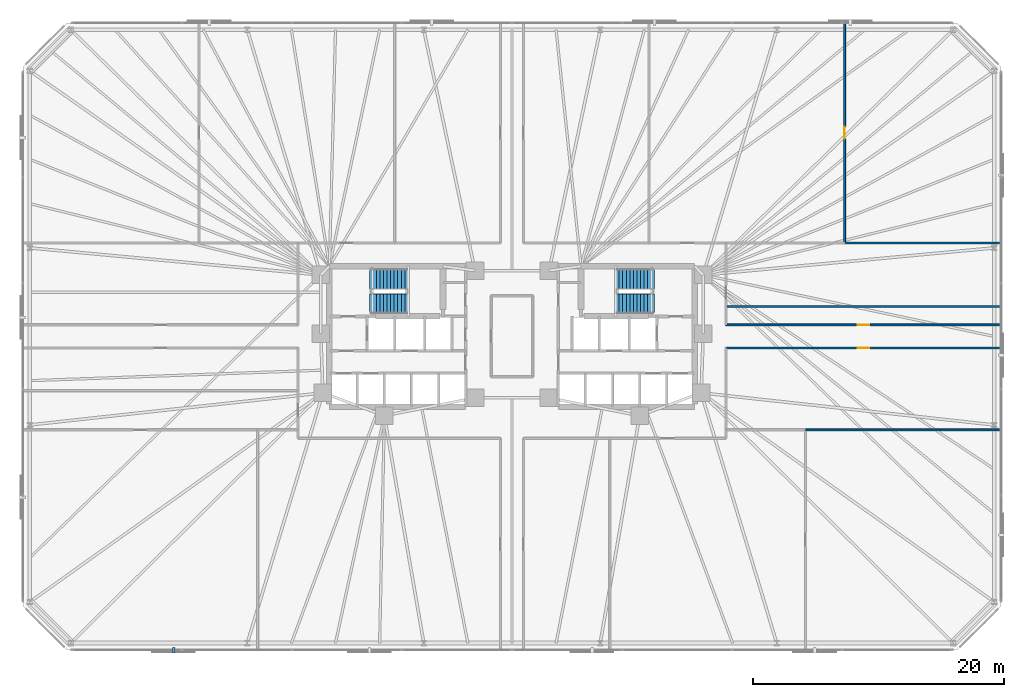
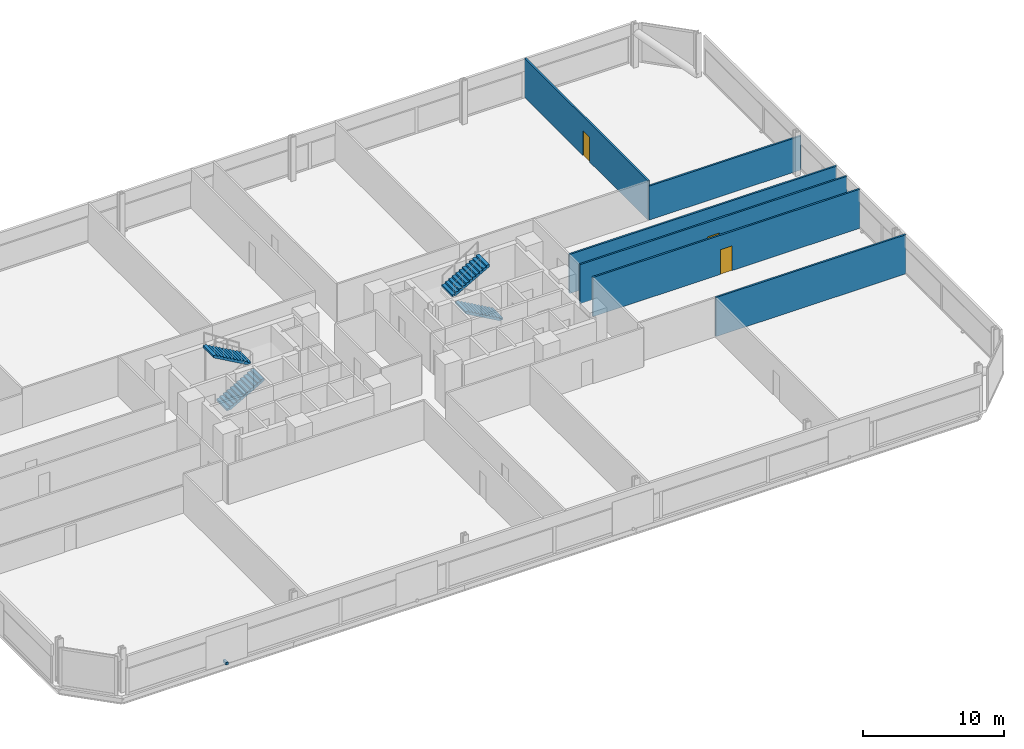
# One storey, part 15 of 17: 6 walls, 4 stair flights, 3 doors, 1 discrete accessory, 3 openings, 2 elements without a shape of their own.
"""IFC4 building model written with IfcOpenShell, lengths in metres."""

from ifc_helpers import new_model, si_unit, direction, frame, frame_2d, origin, origin_2d, place, context, subcontext, project, spatial, polyline, rectangle, outline, extrude, material, layer, layer_set, type_object, element, fill, aggregate, save


model = new_model("IFC4")

# Units and contexts
model_context = context("Model", 3, precision=1e-05, world=origin(), true_north=direction((0.0, 1.0)))
body_context = subcontext(model_context, "Body", "Model", "MODEL_VIEW")
ifc_project = project(units=[si_unit("LENGTHUNIT", "METRE"), si_unit("AREAUNIT", "SQUARE_METRE"), si_unit("VOLUMEUNIT", "CUBIC_METRE"), si_unit("PLANEANGLEUNIT", "RADIAN"), si_unit("MASSUNIT", "GRAM", prefix="KILO")], contexts=[model_context])

# Site, building, storey
site_placement = place(None, origin())
site = spatial("IfcSite", under=ifc_project, at=site_placement, CompositionType="ELEMENT")
building_placement = place(site_placement, origin())
building = spatial("IfcBuilding", under=site, at=building_placement, Name="Menara Jurai Vektor", CompositionType="ELEMENT")
storey_placement = place(building_placement, frame((0.0, 0.0, 75.0)))
storey = spatial("IfcBuildingStorey", under=building, at=storey_placement, Name="L18", CompositionType="ELEMENT", Elevation=75.0)

# Wall, opening, door
ifc_material_1 = material(Name="Gypsum Fireboard Partition", Category="gypsum")
ifc_layer_1 = layer(ifc_material_1, 0.14990234375)
ifc_layer_set_1 = layer_set([ifc_layer_1], Name="Gypsum Fireboard Partition")
wall_type_1 = type_object("IfcWallType", Name="INT-WALL-CORR-150", PredefinedType="PARTITIONING", material=ifc_layer_set_1)
wall_1_placement = place(storey_placement, frame((17.05908203125, -0.919921875, 0.0), z_axis=(0.0, 0.0, 1.0), x_axis=(1.0, 0.0, 0.0)))
wall_1 = element("IfcWall", 1, at=wall_1_placement, inside=storey, type_object=wall_type_1, Name="Interior Wall IW-150 L18", PredefinedType="PARTITIONING", context=body_context, shape_type="SweptSolid", body=[
    extrude(rectangle(XDim=21.94091796875, YDim=0.14990234375, at=frame_2d((10.970458984375, 0.0))), origin(), (0.0, 0.0, 1.0), 3.39990234375),
])
opening_1_placement = place(wall_1_placement, frame((10.49560546875, 0.0, 0.0)))
opening_1 = element("IfcOpeningElement", 2, at=opening_1_placement, cuts=wall_1, Name="Opening D18-15", PredefinedType="OPENING", context=body_context, shape_type="SweptSolid", body=[
    extrude(rectangle(XDim=0.949951171875, YDim=2.14990234375, at=frame_2d((0.47509765625, 1.074951171875))), frame((0.0, 0.0849609375, 0.0), z_axis=(0.0, -1.0, 0.0), x_axis=(1.0, 0.0, 0.0)), (0.0, 0.0, 1.0), 0.169921875),
])
ifc_material_2 = material(Name="Solid Core Timber Fire Door", Category="wood")
door_type = type_object("IfcDoorType", Name="DR-ENTRY-950", OperationType="NOTDEFINED", PredefinedType="DOOR", material=ifc_material_2)
door_1_placement = place(opening_1_placement, origin())
door_1 = element("IfcDoor", 3, at=door_1_placement, inside=storey, type_object=door_type, Name="Interior Door D18-15", OperationType="SINGLE_SWING_RIGHT", OverallHeight=2.14990234375, OverallWidth=0.949951171875, PredefinedType="DOOR", context=body_context, shape_type="SweptSolid", body=[
    extrude(rectangle(XDim=0.949951171875, YDim=2.14990234375, at=frame_2d((0.47509765625, 1.074951171875))), frame((0.0, 0.02490234375, 0.0), z_axis=(0.0, -1.0, 0.0), x_axis=(1.0, 0.0, 0.0)), (0.0, 0.0, 1.0), 0.050048828125),
])
fill(opening_1, door_1)

wall_2_placement = place(storey_placement, frame((17.05908203125, 0.919921875, 0.0), z_axis=(0.0, 0.0, 1.0), x_axis=(1.0, 0.0, 0.0)))
wall_2 = element("IfcWall", 4, at=wall_2_placement, inside=storey, type_object=wall_type_1, Name="Interior Wall IW-150 L18", PredefinedType="PARTITIONING", context=body_context, shape_type="SweptSolid", body=[
    extrude(rectangle(XDim=21.94091796875, YDim=0.14990234375, at=frame_2d((10.970458984375, 0.0))), origin(), (0.0, 0.0, 1.0), 3.39990234375),
])
opening_2_placement = place(wall_2_placement, frame((10.49560546875, 0.0, 0.0)))
opening_2 = element("IfcOpeningElement", 5, at=opening_2_placement, cuts=wall_2, Name="Opening D18-16", PredefinedType="OPENING", context=body_context, shape_type="SweptSolid", body=[
    extrude(rectangle(XDim=0.949951171875, YDim=2.14990234375, at=frame_2d((0.47509765625, 1.074951171875))), frame((0.0, 0.0849609375, 0.0), z_axis=(0.0, -1.0, 0.0), x_axis=(1.0, 0.0, 0.0)), (0.0, 0.0, 1.0), 0.169921875),
])
door_2_placement = place(opening_2_placement, origin())
door_2 = element("IfcDoor", 6, at=door_2_placement, inside=storey, type_object=door_type, Name="Interior Door D18-16", OperationType="SINGLE_SWING_LEFT", OverallHeight=2.14990234375, OverallWidth=0.949951171875, PredefinedType="DOOR", context=body_context, shape_type="SweptSolid", body=[
    extrude(rectangle(XDim=0.949951171875, YDim=2.14990234375, at=frame_2d((0.47509765625, 1.074951171875))), frame((0.0, 0.02490234375, 0.0), z_axis=(0.0, -1.0, 0.0), x_axis=(1.0, 0.0, 0.0)), (0.0, 0.0, 1.0), 0.050048828125),
])
fill(opening_2, door_2)

wall_3_placement = place(storey_placement, frame((26.52001953125, 7.449951171875, 0.0), z_axis=(0.0, 0.0, 1.0), x_axis=(0.0, 1.0, 0.0)))
wall_3 = element("IfcWall", 7, at=wall_3_placement, inside=storey, type_object=wall_type_1, Name="Interior Wall IW-150 L18", PredefinedType="PARTITIONING", context=body_context, shape_type="SweptSolid", body=[
    extrude(rectangle(XDim=17.550048828125, YDim=0.14990234375, at=frame_2d((8.77490234375, 0.0))), origin(), (0.0, 0.0, 1.0), 3.39990234375),
])
opening_3_placement = place(wall_3_placement, frame((8.300048828125, 0.0, 0.0)))
opening_3 = element("IfcOpeningElement", 8, at=opening_3_placement, cuts=wall_3, Name="Opening D18-19", PredefinedType="OPENING", context=body_context, shape_type="SweptSolid", body=[
    extrude(rectangle(XDim=0.949951171875, YDim=2.14990234375, at=frame_2d((0.47509765625, 1.074951171875))), frame((0.0, 0.0849609375, 0.0), z_axis=(0.0, -1.0, 0.0), x_axis=(1.0, 0.0, 0.0)), (0.0, 0.0, 1.0), 0.169921875),
])
door_3_placement = place(opening_3_placement, origin())
door_3 = element("IfcDoor", 9, at=door_3_placement, inside=storey, type_object=door_type, Name="Interior Door D18-19", OperationType="SINGLE_SWING_RIGHT", OverallHeight=2.14990234375, OverallWidth=0.949951171875, PredefinedType="DOOR", context=body_context, shape_type="SweptSolid", body=[
    extrude(rectangle(XDim=0.949951171875, YDim=2.14990234375, at=frame_2d((0.47509765625, 1.074951171875))), frame((0.0, 0.02490234375, 0.0), z_axis=(0.0, -1.0, 0.0), x_axis=(1.0, 0.0, 0.0)), (0.0, 0.0, 1.0), 0.050048828125),
])
fill(opening_3, door_3)

# Walls
wall_4_placement = place(storey_placement, frame((23.39990234375, -7.449951171875, 0.0), z_axis=(0.0, 0.0, 1.0), x_axis=(1.0, 0.0, 0.0)))
element("IfcWall", 10, at=wall_4_placement, inside=storey, type_object=wall_type_1, Name="Interior Wall IW-150 L18", PredefinedType="PARTITIONING", context=body_context, shape_type="SweptSolid", body=[
    extrude(rectangle(XDim=15.60009765625, YDim=0.14990234375, at=frame_2d((7.800048828125, 0.0))), origin(), (0.0, 0.0, 1.0), 3.39990234375),
])
wall_5_placement = place(storey_placement, frame((17.05908203125, 2.384033203125, 0.0), z_axis=(0.0, 0.0, 1.0), x_axis=(1.0, 0.0, 0.0)))
element("IfcWall", 11, at=wall_5_placement, inside=storey, type_object=wall_type_1, Name="Interior Wall IW-150 L18", PredefinedType="PARTITIONING", context=body_context, shape_type="SweptSolid", body=[
    extrude(rectangle(XDim=21.94091796875, YDim=0.14990234375, at=frame_2d((10.970458984375, 0.0))), origin(), (0.0, 0.0, 1.0), 3.39990234375),
])
ifc_layer_2 = layer(ifc_material_1, 0.14990234375)
ifc_layer_set_2 = layer_set([ifc_layer_2], Name="Gypsum Fireboard Partition")
wall_type_2 = type_object("IfcWallType", Name="INT-WALL-CORR-150-H1", PredefinedType="PARTITIONING", material=ifc_layer_set_2)
wall_6_placement = place(storey_placement, frame((26.52001953125, 7.449951171875, 0.0), z_axis=(0.0, 0.0, 1.0), x_axis=(1.0, 0.0, 0.0)))
element("IfcWall", 12, at=wall_6_placement, inside=storey, type_object=wall_type_2, Name="Interior Wall IW-150 L18", PredefinedType="PARTITIONING", context=body_context, shape_type="SweptSolid", body=[
    extrude(rectangle(XDim=12.47998046875, YDim=0.14990234375, at=frame_2d((6.239990234375, 0.0))), origin(), (0.0, 0.0, 1.0), 2.949951171875),
])

# Stair, stair flights
ifc_material_3 = material(Name="Concrete C40/50", Category="concrete")
stair_type = type_object("IfcStairType", Name="STAIR-DOGLEG-1500", PredefinedType="HALF_TURN_STAIR", material=ifc_material_3)
stair_1_placement = place(storey_placement, origin())
stair_1 = element("IfcStair", 13, at=stair_1_placement, inside=storey, type_object=stair_type, Name="Protected Exit Stair ST1 L18", PredefinedType="HALF_TURN_STAIR")
stair_flight_type = type_object("IfcStairFlightType", Name="STAIR-FLIGHT-1500", PredefinedType="STRAIGHT", material=ifc_material_3)
stair_flight_1_placement = place(storey_placement, frame((-11.35009765625, 2.64990234375, 0.0), z_axis=(0.0, 0.0, 1.0), x_axis=(1.0, 0.0, 0.0)))
stair_flight_1 = element("IfcStairFlight", 14, at=stair_flight_1_placement, type_object=stair_flight_type, Name="ST1 flight 1", NumberOfRisers=12, NumberOfTreads=11, PredefinedType="STRAIGHT", RiserHeight=0.158333, TreadLength=0.28, context=body_context, shape_type="SweptSolid", body=[
    extrude(outline(polyline([(0.0, 0.0), (0.0, 0.158447265625), (0.280029296875, 0.158447265625), (0.280029296875, 0.316650390625), (0.56005859375, 0.316650390625), (0.56005859375, 0.47509765625), (0.840087890625, 0.47509765625), (0.840087890625, 0.63330078125), (1.1201171875, 0.63330078125), (1.1201171875, 0.791748046875), (1.39990234375, 0.791748046875), (1.39990234375, 0.949951171875), (1.679931640625, 0.949951171875), (1.679931640625, 1.1083984375), (1.9599609375, 1.1083984375), (1.9599609375, 1.2666015625), (2.239990234375, 1.2666015625), (2.239990234375, 1.425048828125), (2.52001953125, 1.425048828125), (2.52001953125, 1.583251953125), (2.800048828125, 1.583251953125), (2.800048828125, 1.74169921875), (3.080078125, 1.74169921875), (3.080078125, 1.89990234375), (3.080078125, 1.557861328125), (0.324951171875, 0.0), (0.0, 0.0)])), frame((0.0, 0.75, 0.0), z_axis=(0.0, -1.0, 0.0), x_axis=(1.0, 0.0, 0.0)), (0.0, 0.0, 1.0), 1.5),
])
stair_flight_2_placement = place(storey_placement, frame((-8.27001953125, 4.550048828125, 1.89990234375), z_axis=(0.0, 0.0, 1.0), x_axis=(-1.0, 0.0, 0.0)))
stair_flight_2 = element("IfcStairFlight", 15, at=stair_flight_2_placement, type_object=stair_flight_type, Name="ST1 flight 2", NumberOfRisers=12, NumberOfTreads=11, PredefinedType="STRAIGHT", RiserHeight=0.158333, TreadLength=0.28, context=body_context, shape_type="SweptSolid", body=[
    extrude(outline(polyline([(0.0, 0.0), (0.0, 0.158447265625), (0.280029296875, 0.158447265625), (0.280029296875, 0.316650390625), (0.56005859375, 0.316650390625), (0.56005859375, 0.47509765625), (0.840087890625, 0.47509765625), (0.840087890625, 0.63330078125), (1.1201171875, 0.63330078125), (1.1201171875, 0.791748046875), (1.39990234375, 0.791748046875), (1.39990234375, 0.949951171875), (1.679931640625, 0.949951171875), (1.679931640625, 1.1083984375), (1.9599609375, 1.1083984375), (1.9599609375, 1.2666015625), (2.239990234375, 1.2666015625), (2.239990234375, 1.425048828125), (2.52001953125, 1.425048828125), (2.52001953125, 1.583251953125), (2.800048828125, 1.583251953125), (2.800048828125, 1.74169921875), (3.080078125, 1.74169921875), (3.080078125, 1.89990234375), (3.080078125, 1.557861328125), (0.324951171875, 0.0), (0.0, 0.0)])), frame((0.0, 0.75, 0.0), z_axis=(0.0, -1.0, 0.0), x_axis=(1.0, 0.0, 0.0)), (0.0, 0.0, 1.0), 1.5),
])
aggregate(stair_1, [stair_flight_1, stair_flight_2])

stair_2_placement = place(storey_placement, origin())
stair_2 = element("IfcStair", 16, at=stair_2_placement, inside=storey, type_object=stair_type, Name="Protected Exit Stair ST2 L18", PredefinedType="HALF_TURN_STAIR")
stair_flight_3_placement = place(storey_placement, frame((11.35009765625, 2.64990234375, 0.0), z_axis=(0.0, 0.0, 1.0), x_axis=(-1.0, 0.0, 0.0)))
stair_flight_3 = element("IfcStairFlight", 17, at=stair_flight_3_placement, type_object=stair_flight_type, Name="ST2 flight 1", NumberOfRisers=12, NumberOfTreads=11, PredefinedType="STRAIGHT", RiserHeight=0.158333, TreadLength=0.28, context=body_context, shape_type="SweptSolid", body=[
    extrude(outline(polyline([(0.0, 0.0), (0.0, 0.158447265625), (0.280029296875, 0.158447265625), (0.280029296875, 0.316650390625), (0.56005859375, 0.316650390625), (0.56005859375, 0.47509765625), (0.840087890625, 0.47509765625), (0.840087890625, 0.63330078125), (1.1201171875, 0.63330078125), (1.1201171875, 0.791748046875), (1.39990234375, 0.791748046875), (1.39990234375, 0.949951171875), (1.679931640625, 0.949951171875), (1.679931640625, 1.1083984375), (1.9599609375, 1.1083984375), (1.9599609375, 1.2666015625), (2.239990234375, 1.2666015625), (2.239990234375, 1.425048828125), (2.52001953125, 1.425048828125), (2.52001953125, 1.583251953125), (2.800048828125, 1.583251953125), (2.800048828125, 1.74169921875), (3.080078125, 1.74169921875), (3.080078125, 1.89990234375), (3.080078125, 1.557861328125), (0.324951171875, 0.0), (0.0, 0.0)])), frame((0.0, 0.75, 0.0), z_axis=(0.0, -1.0, 0.0), x_axis=(1.0, 0.0, 0.0)), (0.0, 0.0, 1.0), 1.5),
])
stair_flight_4_placement = place(storey_placement, frame((8.27001953125, 4.550048828125, 1.89990234375), z_axis=(0.0, 0.0, 1.0), x_axis=(1.0, 0.0, 0.0)))
stair_flight_4 = element("IfcStairFlight", 18, at=stair_flight_4_placement, type_object=stair_flight_type, Name="ST2 flight 2", NumberOfRisers=12, NumberOfTreads=11, PredefinedType="STRAIGHT", RiserHeight=0.158333, TreadLength=0.28, context=body_context, shape_type="SweptSolid", body=[
    extrude(outline(polyline([(0.0, 0.0), (0.0, 0.158447265625), (0.280029296875, 0.158447265625), (0.280029296875, 0.316650390625), (0.56005859375, 0.316650390625), (0.56005859375, 0.47509765625), (0.840087890625, 0.47509765625), (0.840087890625, 0.63330078125), (1.1201171875, 0.63330078125), (1.1201171875, 0.791748046875), (1.39990234375, 0.791748046875), (1.39990234375, 0.949951171875), (1.679931640625, 0.949951171875), (1.679931640625, 1.1083984375), (1.9599609375, 1.1083984375), (1.9599609375, 1.2666015625), (2.239990234375, 1.2666015625), (2.239990234375, 1.425048828125), (2.52001953125, 1.425048828125), (2.52001953125, 1.583251953125), (2.800048828125, 1.583251953125), (2.800048828125, 1.74169921875), (3.080078125, 1.74169921875), (3.080078125, 1.89990234375), (3.080078125, 1.557861328125), (0.324951171875, 0.0), (0.0, 0.0)])), frame((0.0, 0.75, 0.0), z_axis=(0.0, -1.0, 0.0), x_axis=(1.0, 0.0, 0.0)), (0.0, 0.0, 1.0), 1.5),
])
aggregate(stair_2, [stair_flight_3, stair_flight_4])

# Discrete accessory
ifc_material_4 = material(Name="Steel S355", Category="steel")
discrete_accessory_type = type_object("IfcDiscreteAccessoryType", Name="ENV-ACC-BRACKET", PredefinedType="BRACKET", material=ifc_material_4)
discrete_accessory_placement = place(storey_placement, frame((-26.97998046875, -25.010009765625, -0.1298828125), z_axis=(0.0, 0.0, 1.0), x_axis=(1.0, 0.0, 0.0)))
element("IfcDiscreteAccessory", 19, at=discrete_accessory_placement, inside=storey, type_object=discrete_accessory_type, Name="Solar Screen Stand-Off Bracket L18-S01", PredefinedType="BRACKET", context=body_context, shape_type="SweptSolid", body=[
    extrude(rectangle(XDim=0.179931640625, YDim=0.43994140625, at=origin_2d()), origin(), (0.0, 0.0, 1.0), 0.219970703125),
])

save(model, "model.ifc")
